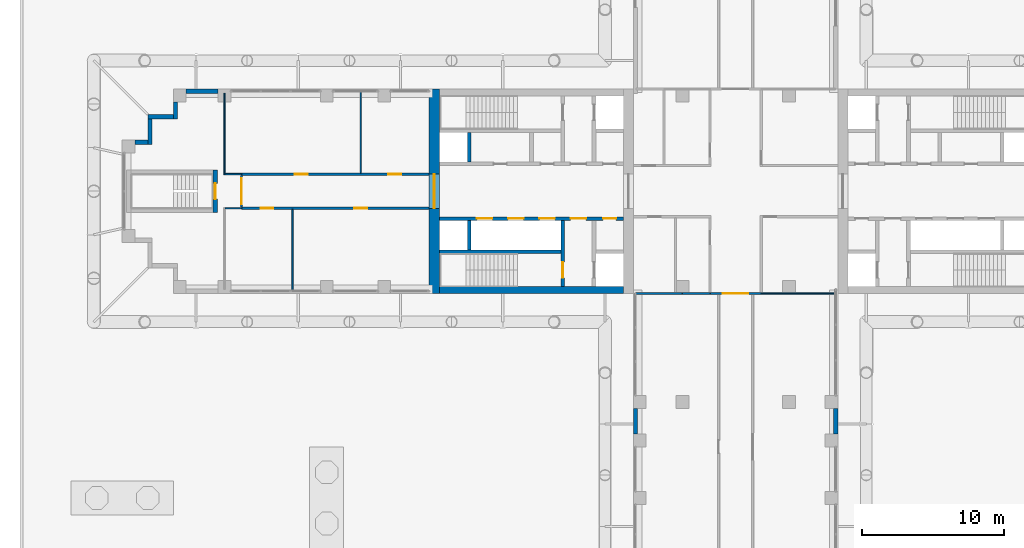
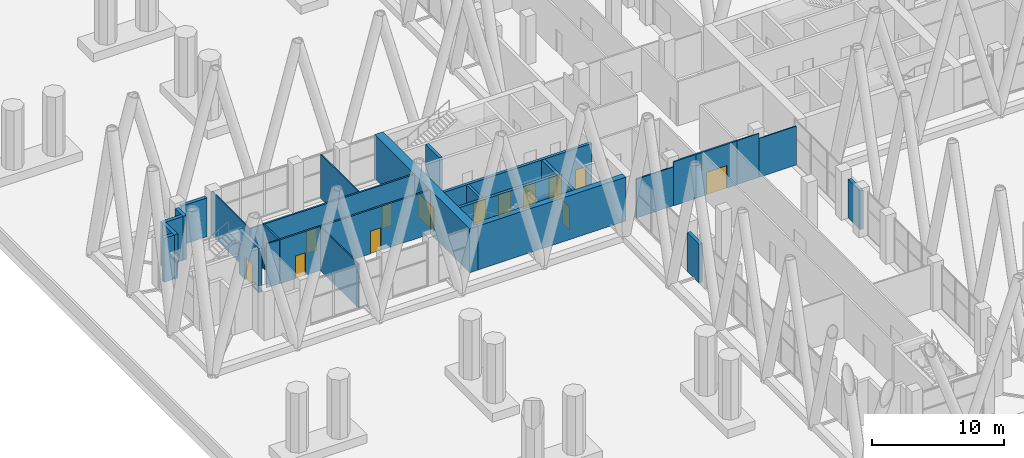
# One storey, part 20 of 31: 28 walls, 14 doors, 14 openings.
"""IFC4 building model written with IfcOpenShell, lengths in metres."""

from ifc_helpers import new_model, si_unit, direction, frame, frame_2d, origin, place, context, subcontext, project, spatial, rectangle, extrude, material, layer, layer_set, type_object, element, fill, save


model = new_model("IFC4")

# Units and contexts
model_context = context("Model", 3, precision=1e-05, world=origin(), true_north=direction((0.0, 1.0)))
body_context = subcontext(model_context, "Body", "Model", "MODEL_VIEW")
ifc_project = project(units=[si_unit("LENGTHUNIT", "METRE"), si_unit("AREAUNIT", "SQUARE_METRE"), si_unit("VOLUMEUNIT", "CUBIC_METRE"), si_unit("PLANEANGLEUNIT", "RADIAN"), si_unit("MASSUNIT", "GRAM", prefix="KILO")], contexts=[model_context])

# Site, building, storey
site_placement = place(None, origin())
site = spatial("IfcSite", under=ifc_project, at=site_placement, CompositionType="ELEMENT")
building_placement = place(site_placement, origin())
building = spatial("IfcBuilding", under=site, at=building_placement, Name="Fustian Cross Tower", CompositionType="ELEMENT")
storey_placement = place(building_placement, frame((0.0, 0.0, 7.199951171875)))
storey = spatial("IfcBuildingStorey", under=building, at=storey_placement, Name="L01", CompositionType="ELEMENT", Elevation=7.199951171875)

# Wall, opening, door
ifc_material_1 = material(Name="Plasterboard on steel stud", Category="steel")
ifc_layer_1 = layer(ifc_material_1, 0.14990234375)
ifc_layer_set_1 = layer_set([ifc_layer_1], Name="Plasterboard on steel stud")
wall_type_1 = type_object("IfcWallType", Name="COMPARTMENT WALL 150 EI 60", PredefinedType="PARTITIONING", material=ifc_layer_set_1)
wall_1_placement = place(storey_placement, frame((-34.800048828125, -1.125, 0.0), z_axis=(0.0, 0.0, 1.0), x_axis=(0.0, 1.0, 0.0)))
wall_1 = element("IfcWall", 1, at=wall_1_placement, inside=storey, type_object=wall_type_1, Name="Partition 5", PredefinedType="PARTITIONING", context=body_context, shape_type="SweptSolid", body=[
    extrude(rectangle(XDim=2.25, YDim=0.14990234375, at=frame_2d((1.125, 0.0))), origin(), (0.0, 0.0, 1.0), 4.074951171875),
])
opening_1_placement = place(wall_1_placement, frame((0.22509765625, 0.0, 0.0)))
opening_1 = element("IfcOpeningElement", 2, at=opening_1_placement, cuts=wall_1, Name="Opening D03024", PredefinedType="OPENING", context=body_context, shape_type="SweptSolid", body=[
    extrude(rectangle(XDim=1.800048828125, YDim=2.10009765625, at=frame_2d((0.89990234375, 1.050048828125))), frame((0.0, 0.0849609375, 0.0), z_axis=(0.0, -1.0, 0.0), x_axis=(1.0, 0.0, 0.0)), (0.0, 0.0, 1.0), 0.169921875),
])
ifc_material_2 = material(Name="Timber fire door set", Category="wood")
door_type_1 = type_object("IfcDoorType", Name="FIRE DOUBLE DOOR 1800 FD30S", OperationType="DOUBLE_DOOR_DOUBLE_SWING", PredefinedType="DOOR", material=ifc_material_2)
door_1_placement = place(opening_1_placement, frame((1.800048828125, 0.0, 0.0), z_axis=(0.0, 0.0, 1.0), x_axis=(-1.0, 0.0, 0.0)))
door_1 = element("IfcDoor", 3, at=door_1_placement, inside=storey, type_object=door_type_1, Name="Door D03024", OperationType="DOUBLE_DOOR_DOUBLE_SWING", OverallHeight=2.10009765625, OverallWidth=1.800048828125, PredefinedType="DOOR", context=body_context, shape_type="SweptSolid", body=[
    extrude(rectangle(XDim=1.800048828125, YDim=2.10009765625, at=frame_2d((0.89990234375, 1.050048828125))), frame((0.0, 0.02490234375, 0.0), z_axis=(0.0, -1.0, 0.0), x_axis=(1.0, 0.0, 0.0)), (0.0, 0.0, 1.0), 0.050048828125),
])
fill(opening_1, door_1)

# Wall, openings, doors
wall_2_placement = place(storey_placement, frame((-34.800048828125, -1.199951171875, 0.0), z_axis=(0.0, 0.0, 1.0), x_axis=(1.0, 0.0, 0.0)))
wall_2 = element("IfcWall", 4, at=wall_2_placement, inside=storey, type_object=wall_type_1, Name="Partition 6", PredefinedType="PARTITIONING", context=body_context, shape_type="SweptSolid", body=[
    extrude(rectangle(XDim=13.199951171875, YDim=0.14990234375, at=frame_2d((6.60009765625, 0.0))), origin(), (0.0, 0.0, 1.0), 4.074951171875),
])
opening_2_placement = place(wall_2_placement, frame((7.949951171875, 0.0, 0.0)))
opening_2 = element("IfcOpeningElement", 5, at=opening_2_placement, cuts=wall_2, Name="Opening D03025", PredefinedType="OPENING", context=body_context, shape_type="SweptSolid", body=[
    extrude(rectangle(XDim=0.89990234375, YDim=2.10009765625, at=frame_2d((0.449951171875, 1.050048828125))), frame((0.0, 0.0849609375, 0.0), z_axis=(0.0, -1.0, 0.0), x_axis=(1.0, 0.0, 0.0)), (0.0, 0.0, 1.0), 0.169921875),
])
opening_3_placement = place(wall_2_placement, frame((1.35009765625, 0.0, 0.0)))
opening_3 = element("IfcOpeningElement", 6, at=opening_3_placement, cuts=wall_2, Name="Opening D03026", PredefinedType="OPENING", context=body_context, shape_type="SweptSolid", body=[
    extrude(rectangle(XDim=0.89990234375, YDim=2.10009765625, at=frame_2d((0.449951171875, 1.050048828125))), frame((0.0, 0.0849609375, 0.0), z_axis=(0.0, -1.0, 0.0), x_axis=(1.0, 0.0, 0.0)), (0.0, 0.0, 1.0), 0.169921875),
])
ifc_material_3 = material(Name="Timber fire door set", Category="wood")
door_type_2 = type_object("IfcDoorType", Name="FIRE SWING DOOR 900 FD30S", OperationType="SINGLE_SWING_LEFT", PredefinedType="DOOR", material=ifc_material_3)
door_2_placement = place(opening_2_placement, frame((0.89990234375, 0.0, 0.0), z_axis=(0.0, 0.0, 1.0), x_axis=(-1.0, 0.0, 0.0)))
door_2 = element("IfcDoor", 7, at=door_2_placement, inside=storey, type_object=door_type_2, Name="Door D03025", OperationType="SINGLE_SWING_RIGHT", OverallHeight=2.10009765625, OverallWidth=0.89990234375, PredefinedType="DOOR", context=body_context, shape_type="SweptSolid", body=[
    extrude(rectangle(XDim=0.89990234375, YDim=2.10009765625, at=frame_2d((0.449951171875, 1.050048828125))), frame((0.0, 0.02490234375, 0.0), z_axis=(0.0, -1.0, 0.0), x_axis=(1.0, 0.0, 0.0)), (0.0, 0.0, 1.0), 0.050048828125),
])
fill(opening_2, door_2)
door_3_placement = place(opening_3_placement, frame((0.89990234375, 0.0, 0.0), z_axis=(0.0, 0.0, 1.0), x_axis=(-1.0, 0.0, 0.0)))
door_3 = element("IfcDoor", 8, at=door_3_placement, inside=storey, type_object=door_type_2, Name="Door D03026", OperationType="SINGLE_SWING_LEFT", OverallHeight=2.10009765625, OverallWidth=0.89990234375, PredefinedType="DOOR", context=body_context, shape_type="SweptSolid", body=[
    extrude(rectangle(XDim=0.89990234375, YDim=2.10009765625, at=frame_2d((0.449951171875, 1.050048828125))), frame((0.0, 0.02490234375, 0.0), z_axis=(0.0, -1.0, 0.0), x_axis=(1.0, 0.0, 0.0)), (0.0, 0.0, 1.0), 0.050048828125),
])
fill(opening_3, door_3)

wall_3_placement = place(storey_placement, frame((-34.800048828125, 1.199951171875, 0.0), z_axis=(0.0, 0.0, 1.0), x_axis=(1.0, 0.0, 0.0)))
wall_3 = element("IfcWall", 9, at=wall_3_placement, inside=storey, type_object=wall_type_1, Name="Partition 7", PredefinedType="PARTITIONING", context=body_context, shape_type="SweptSolid", body=[
    extrude(rectangle(XDim=13.199951171875, YDim=0.14990234375, at=frame_2d((6.60009765625, 0.0))), origin(), (0.0, 0.0, 1.0), 4.074951171875),
])
opening_4_placement = place(wall_3_placement, frame((10.35009765625, 0.0, 0.0)))
opening_4 = element("IfcOpeningElement", 10, at=opening_4_placement, cuts=wall_3, Name="Opening D03027", PredefinedType="OPENING", context=body_context, shape_type="SweptSolid", body=[
    extrude(rectangle(XDim=0.89990234375, YDim=2.10009765625, at=frame_2d((0.449951171875, 1.050048828125))), frame((0.0, 0.0849609375, 0.0), z_axis=(0.0, -1.0, 0.0), x_axis=(1.0, 0.0, 0.0)), (0.0, 0.0, 1.0), 0.169921875),
])
opening_5_placement = place(wall_3_placement, frame((3.75, 0.0, 0.0)))
opening_5 = element("IfcOpeningElement", 11, at=opening_5_placement, cuts=wall_3, Name="Opening D03028", PredefinedType="OPENING", context=body_context, shape_type="SweptSolid", body=[
    extrude(rectangle(XDim=0.89990234375, YDim=2.10009765625, at=frame_2d((0.449951171875, 1.050048828125))), frame((0.0, 0.0849609375, 0.0), z_axis=(0.0, -1.0, 0.0), x_axis=(1.0, 0.0, 0.0)), (0.0, 0.0, 1.0), 0.169921875),
])
door_4_placement = place(opening_4_placement, origin())
door_4 = element("IfcDoor", 12, at=door_4_placement, inside=storey, type_object=door_type_2, Name="Door D03027", OperationType="SINGLE_SWING_LEFT", OverallHeight=2.10009765625, OverallWidth=0.89990234375, PredefinedType="DOOR", context=body_context, shape_type="SweptSolid", body=[
    extrude(rectangle(XDim=0.89990234375, YDim=2.10009765625, at=frame_2d((0.449951171875, 1.050048828125))), frame((0.0, 0.02490234375, 0.0), z_axis=(0.0, -1.0, 0.0), x_axis=(1.0, 0.0, 0.0)), (0.0, 0.0, 1.0), 0.050048828125),
])
fill(opening_4, door_4)
door_5_placement = place(opening_5_placement, origin())
door_5 = element("IfcDoor", 13, at=door_5_placement, inside=storey, type_object=door_type_2, Name="Door D03028", OperationType="SINGLE_SWING_RIGHT", OverallHeight=2.10009765625, OverallWidth=0.89990234375, PredefinedType="DOOR", context=body_context, shape_type="SweptSolid", body=[
    extrude(rectangle(XDim=0.89990234375, YDim=2.10009765625, at=frame_2d((0.449951171875, 1.050048828125))), frame((0.0, 0.02490234375, 0.0), z_axis=(0.0, -1.0, 0.0), x_axis=(1.0, 0.0, 0.0)), (0.0, 0.0, 1.0), 0.050048828125),
])
fill(opening_5, door_5)

# Wall, opening, door
wall_4_placement = place(storey_placement, frame((-1.800048828125, -7.199951171875, 0.0), z_axis=(0.0, 0.0, 1.0), x_axis=(1.0, 0.0, 0.0)))
wall_4 = element("IfcWall", 14, at=wall_4_placement, inside=storey, type_object=wall_type_1, Name="Partition 21", PredefinedType="PARTITIONING", context=body_context, shape_type="SweptSolid", body=[
    extrude(rectangle(XDim=3.60009765625, YDim=0.14990234375, at=frame_2d((1.800048828125, 0.0))), origin(), (0.0, 0.0, 1.0), 4.074951171875),
])
opening_6_placement = place(wall_4_placement, frame((0.89990234375, 0.0, 0.0)))
opening_6 = element("IfcOpeningElement", 15, at=opening_6_placement, cuts=wall_4, Name="Opening D03014", PredefinedType="OPENING", context=body_context, shape_type="SweptSolid", body=[
    extrude(rectangle(XDim=1.800048828125, YDim=2.10009765625, at=frame_2d((0.89990234375, 1.050048828125))), frame((0.0, 0.0849609375, 0.0), z_axis=(0.0, -1.0, 0.0), x_axis=(1.0, 0.0, 0.0)), (0.0, 0.0, 1.0), 0.169921875),
])
door_6_placement = place(opening_6_placement, origin())
door_6 = element("IfcDoor", 16, at=door_6_placement, inside=storey, type_object=door_type_1, Name="Door D03014", OperationType="DOUBLE_DOOR_DOUBLE_SWING", OverallHeight=2.10009765625, OverallWidth=1.800048828125, PredefinedType="DOOR", context=body_context, shape_type="SweptSolid", body=[
    extrude(rectangle(XDim=1.800048828125, YDim=2.10009765625, at=frame_2d((0.89990234375, 1.050048828125))), frame((0.0, 0.02490234375, 0.0), z_axis=(0.0, -1.0, 0.0), x_axis=(1.0, 0.0, 0.0)), (0.0, 0.0, 1.0), 0.050048828125),
])
fill(opening_6, door_6)

ifc_material_4 = material(Name="Concrete C80/95", Category="concrete")
ifc_layer_2 = layer(ifc_material_4, 0.75)
ifc_layer_set_2 = layer_set([ifc_layer_2], Name="Concrete C80/95")
wall_type_2 = type_object("IfcWallType", Name="CORE END WALL 750 C80/95", PredefinedType="SHEAR", material=ifc_layer_set_2)
wall_5_placement = place(storey_placement, frame((-21.22509765625, -7.199951171875, 0.0), z_axis=(0.0, 0.0, 1.0), x_axis=(0.0, 1.0, 0.0)))
wall_5 = element("IfcWall", 17, at=wall_5_placement, inside=storey, type_object=wall_type_2, Name="Core end wall", PredefinedType="SHEAR", context=body_context, shape_type="SweptSolid", body=[
    extrude(rectangle(XDim=14.39990234375, YDim=0.75, at=frame_2d((7.199951171875, 0.0))), origin(), (0.0, 0.0, 1.0), 4.074951171875),
])
opening_7_placement = place(wall_5_placement, frame((6.0, 0.0, 0.0)))
opening_7 = element("IfcOpeningElement", 18, at=opening_7_placement, cuts=wall_5, Name="Opening CD-03-28", PredefinedType="OPENING", context=body_context, shape_type="SweptSolid", body=[
    extrude(rectangle(XDim=2.39990234375, YDim=2.199951171875, at=frame_2d((1.199951171875, 1.10009765625))), frame((0.0, 0.385009765625, 0.0), z_axis=(0.0, -1.0, 0.0), x_axis=(1.0, 0.0, 0.0)), (0.0, 0.0, 1.0), 0.77001953125),
])
ifc_material_5 = material(Name="Steel", Category="steel")
door_type_3 = type_object("IfcDoorType", Name="FIRE DOOR FD30S DOUBLE 2400X2200", OperationType="DOUBLE_DOOR_DOUBLE_SWING", PredefinedType="DOOR", material=ifc_material_5)
door_7_placement = place(opening_7_placement, frame((2.39990234375, 0.0, 0.0), z_axis=(0.0, 0.0, 1.0), x_axis=(-1.0, 0.0, 0.0)))
door_7 = element("IfcDoor", 19, at=door_7_placement, inside=storey, type_object=door_type_3, Name="Core door CD-03-28", OperationType="DOUBLE_DOOR_DOUBLE_SWING", OverallHeight=2.199951171875, OverallWidth=2.39990234375, PredefinedType="DOOR", context=body_context, shape_type="SweptSolid", body=[
    extrude(rectangle(XDim=2.39990234375, YDim=2.199951171875, at=frame_2d((1.199951171875, 1.10009765625))), frame((0.0, 0.02490234375, 0.0), z_axis=(0.0, -1.0, 0.0), x_axis=(1.0, 0.0, 0.0)), (0.0, 0.0, 1.0), 0.050048828125),
])
fill(opening_7, door_7)

# Wall
ifc_material_6 = material(Name="Concrete C80/95", Category="concrete")
ifc_layer_3 = layer(ifc_material_6, 0.5)
ifc_layer_set_3 = layer_set([ifc_layer_3], Name="Concrete C80/95")
wall_type_3 = type_object("IfcWallType", Name="CORE FACADE WALL 500 C80/95", PredefinedType="SHEAR", material=ifc_layer_set_3)
wall_6_placement = place(storey_placement, frame((-7.89990234375, -6.949951171875, 0.0), z_axis=(0.0, 0.0, 1.0), x_axis=(-1.0, 0.0, 0.0)))
element("IfcWall", 20, at=wall_6_placement, inside=storey, type_object=wall_type_3, Name="Core facade wall", PredefinedType="SHEAR", context=body_context, shape_type="SweptSolid", body=[
    extrude(rectangle(XDim=12.9501953125, YDim=0.5, at=frame_2d((6.47509765625, 0.0))), origin(), (0.0, 0.0, 1.0), 4.074951171875),
])

# Wall, openings, doors
ifc_material_7 = material(Name="Concrete C50/60", Category="concrete")
ifc_layer_4 = layer(ifc_material_7, 0.25)
ifc_layer_set_4 = layer_set([ifc_layer_4], Name="Concrete C50/60")
wall_type_4 = type_object("IfcWallType", Name="CORE LOBBY WALL 250 C50/60", PredefinedType="SHEAR", material=ifc_layer_set_4)
wall_7_placement = place(storey_placement, frame((-7.89990234375, -1.925048828125, 0.0), z_axis=(0.0, 0.0, 1.0), x_axis=(-1.0, 0.0, 0.0)))
wall_7 = element("IfcWall", 21, at=wall_7_placement, inside=storey, type_object=wall_type_4, Name="Core lobby wall", PredefinedType="SHEAR", context=body_context, shape_type="SweptSolid", body=[
    extrude(rectangle(XDim=12.9501953125, YDim=0.25, at=frame_2d((6.47509765625, 0.0))), origin(), (0.0, 0.0, 1.0), 4.074951171875),
])
opening_8_placement = place(wall_7_placement, frame((4.824951171875, 0.0, 0.0)))
opening_8 = element("IfcOpeningElement", 22, at=opening_8_placement, cuts=wall_7, Name="Opening LD", PredefinedType="OPENING", context=body_context, shape_type="SweptSolid", body=[
    extrude(rectangle(XDim=1.10009765625, YDim=2.10009765625, at=frame_2d((0.550048828125, 1.050048828125))), frame((0.0, 0.135009765625, 0.0), z_axis=(0.0, -1.0, 0.0), x_axis=(1.0, 0.0, 0.0)), (0.0, 0.0, 1.0), 0.27001953125),
])
opening_9_placement = place(wall_7_placement, frame((7.02490234375, 0.0, 0.0)))
opening_9 = element("IfcOpeningElement", 23, at=opening_9_placement, cuts=wall_7, Name="Opening LD", PredefinedType="OPENING", context=body_context, shape_type="SweptSolid", body=[
    extrude(rectangle(XDim=1.10009765625, YDim=2.10009765625, at=frame_2d((0.550048828125, 1.050048828125))), frame((0.0, 0.135009765625, 0.0), z_axis=(0.0, -1.0, 0.0), x_axis=(1.0, 0.0, 0.0)), (0.0, 0.0, 1.0), 0.27001953125),
])
opening_10_placement = place(wall_7_placement, frame((9.22509765625, 0.0, 0.0)))
opening_10 = element("IfcOpeningElement", 24, at=opening_10_placement, cuts=wall_7, Name="Opening LD", PredefinedType="OPENING", context=body_context, shape_type="SweptSolid", body=[
    extrude(rectangle(XDim=1.10009765625, YDim=2.10009765625, at=frame_2d((0.550048828125, 1.050048828125))), frame((0.0, 0.135009765625, 0.0), z_axis=(0.0, -1.0, 0.0), x_axis=(1.0, 0.0, 0.0)), (0.0, 0.0, 1.0), 0.27001953125),
])
opening_11_placement = place(wall_7_placement, frame((0.52490234375, 0.0, 0.0)))
opening_11 = element("IfcOpeningElement", 25, at=opening_11_placement, cuts=wall_7, Name="Opening CD-03-24", PredefinedType="OPENING", context=body_context, shape_type="SweptSolid", body=[
    extrude(rectangle(XDim=0.89990234375, YDim=2.10009765625, at=frame_2d((0.449951171875, 1.050048828125))), frame((0.0, 0.135009765625, 0.0), z_axis=(0.0, -1.0, 0.0), x_axis=(1.0, 0.0, 0.0)), (0.0, 0.0, 1.0), 0.27001953125),
])
opening_12_placement = place(wall_7_placement, frame((2.625, 0.0, 0.0)))
opening_12 = element("IfcOpeningElement", 26, at=opening_12_placement, cuts=wall_7, Name="Opening CD-03-26", PredefinedType="OPENING", context=body_context, shape_type="SweptSolid", body=[
    extrude(rectangle(XDim=1.10009765625, YDim=2.10009765625, at=frame_2d((0.550048828125, 1.050048828125))), frame((0.0, 0.135009765625, 0.0), z_axis=(0.0, -1.0, 0.0), x_axis=(1.0, 0.0, 0.0)), (0.0, 0.0, 1.0), 0.27001953125),
])
ifc_material_8 = material(Name="Steel", Category="steel")
door_type_4 = type_object("IfcDoorType", Name="FIRE DOOR FD30S 1100X2100", OperationType="SINGLE_SWING_LEFT", PredefinedType="DOOR", material=ifc_material_8)
door_8_placement = place(opening_12_placement, frame((1.10009765625, 0.0, 0.0), z_axis=(0.0, 0.0, 1.0), x_axis=(-1.0, 0.0, 0.0)))
door_8 = element("IfcDoor", 27, at=door_8_placement, inside=storey, type_object=door_type_4, Name="Core door CD-03-26", OperationType="SINGLE_SWING_RIGHT", OverallHeight=2.10009765625, OverallWidth=1.10009765625, PredefinedType="DOOR", context=body_context, shape_type="SweptSolid", body=[
    extrude(rectangle(XDim=1.10009765625, YDim=2.10009765625, at=frame_2d((0.550048828125, 1.050048828125))), frame((0.0, 0.02490234375, 0.0), z_axis=(0.0, -1.0, 0.0), x_axis=(1.0, 0.0, 0.0)), (0.0, 0.0, 1.0), 0.050048828125),
])
fill(opening_12, door_8)
ifc_material_9 = material(Name="Steel", Category="steel")
door_type_5 = type_object("IfcDoorType", Name="FIRE DOOR FD30S 900X2100", OperationType="SINGLE_SWING_LEFT", PredefinedType="DOOR", material=ifc_material_9)
door_9_placement = place(opening_11_placement, origin())
door_9 = element("IfcDoor", 28, at=door_9_placement, inside=storey, type_object=door_type_5, Name="Core door CD-03-24", OperationType="SINGLE_SWING_LEFT", OverallHeight=2.10009765625, OverallWidth=0.89990234375, PredefinedType="DOOR", context=body_context, shape_type="SweptSolid", body=[
    extrude(rectangle(XDim=0.89990234375, YDim=2.10009765625, at=frame_2d((0.449951171875, 1.050048828125))), frame((0.0, 0.02490234375, 0.0), z_axis=(0.0, -1.0, 0.0), x_axis=(1.0, 0.0, 0.0)), (0.0, 0.0, 1.0), 0.050048828125),
])
fill(opening_11, door_9)
ifc_material_10 = material(Name="Stainless steel", Category="steel")
door_type_6 = type_object("IfcDoorType", Name="LIFT LANDING DOOR 1100X2100", OperationType="SLIDING_TO_LEFT", PredefinedType="DOOR", material=ifc_material_10)
door_10_placement = place(opening_8_placement, origin())
door_10 = element("IfcDoor", 29, at=door_10_placement, inside=storey, type_object=door_type_6, Name="Landing door LR1W", OperationType="SLIDING_TO_LEFT", OverallHeight=2.10009765625, OverallWidth=1.10009765625, PredefinedType="DOOR", context=body_context, shape_type="SweptSolid", body=[
    extrude(rectangle(XDim=1.10009765625, YDim=2.10009765625, at=frame_2d((0.550048828125, 1.050048828125))), frame((0.0, 0.02490234375, 0.0), z_axis=(0.0, -1.0, 0.0), x_axis=(1.0, 0.0, 0.0)), (0.0, 0.0, 1.0), 0.050048828125),
])
fill(opening_8, door_10)
door_11_placement = place(opening_9_placement, origin())
door_11 = element("IfcDoor", 30, at=door_11_placement, inside=storey, type_object=door_type_6, Name="Landing door LR2W", OperationType="SLIDING_TO_LEFT", OverallHeight=2.10009765625, OverallWidth=1.10009765625, PredefinedType="DOOR", context=body_context, shape_type="SweptSolid", body=[
    extrude(rectangle(XDim=1.10009765625, YDim=2.10009765625, at=frame_2d((0.550048828125, 1.050048828125))), frame((0.0, 0.02490234375, 0.0), z_axis=(0.0, -1.0, 0.0), x_axis=(1.0, 0.0, 0.0)), (0.0, 0.0, 1.0), 0.050048828125),
])
fill(opening_9, door_11)
door_12_placement = place(opening_10_placement, origin())
door_12 = element("IfcDoor", 31, at=door_12_placement, inside=storey, type_object=door_type_6, Name="Landing door LR3W", OperationType="SLIDING_TO_LEFT", OverallHeight=2.10009765625, OverallWidth=1.10009765625, PredefinedType="DOOR", context=body_context, shape_type="SweptSolid", body=[
    extrude(rectangle(XDim=1.10009765625, YDim=2.10009765625, at=frame_2d((0.550048828125, 1.050048828125))), frame((0.0, 0.02490234375, 0.0), z_axis=(0.0, -1.0, 0.0), x_axis=(1.0, 0.0, 0.0)), (0.0, 0.0, 1.0), 0.050048828125),
])
fill(opening_10, door_12)

# Wall
ifc_material_11 = material(Name="Concrete C50/60", Category="concrete")
ifc_layer_5 = layer(ifc_material_11, 0.25)
ifc_layer_set_5 = layer_set([ifc_layer_5], Name="Concrete C50/60")
wall_type_5 = type_object("IfcWallType", Name="CORE SHAFT WALL 250 C50/60", PredefinedType="SHEAR", material=ifc_layer_set_5)
wall_8_placement = place(storey_placement, frame((-12.300048828125, -4.27490234375, 0.0), z_axis=(0.0, 0.0, 1.0), x_axis=(-1.0, 0.0, 0.0)))
element("IfcWall", 32, at=wall_8_placement, inside=storey, type_object=wall_type_5, Name="Core shaft wall", PredefinedType="SHEAR", context=body_context, shape_type="SweptSolid", body=[
    extrude(rectangle(XDim=8.550048828125, YDim=0.25, at=frame_2d((4.27490234375, 0.0))), origin(), (0.0, 0.0, 1.0), 4.074951171875),
])

# Wall, opening, door
wall_9_placement = place(storey_placement, frame((-12.175048828125, -2.050048828125, 0.0), z_axis=(0.0, 0.0, 1.0), x_axis=(0.0, -1.0, 0.0)))
wall_9 = element("IfcWall", 33, at=wall_9_placement, inside=storey, type_object=wall_type_5, Name="Core shaft wall", PredefinedType="SHEAR", context=body_context, shape_type="SweptSolid", body=[
    extrude(rectangle(XDim=4.64990234375, YDim=0.25, at=frame_2d((2.324951171875, 0.0))), origin(), (0.0, 0.0, 1.0), 4.074951171875),
])
opening_13_placement = place(wall_9_placement, frame((2.949951171875, 0.0, 0.0)))
opening_13 = element("IfcOpeningElement", 34, at=opening_13_placement, cuts=wall_9, Name="Opening CD-03-22", PredefinedType="OPENING", context=body_context, shape_type="SweptSolid", body=[
    extrude(rectangle(XDim=1.10009765625, YDim=2.10009765625, at=frame_2d((0.550048828125, 1.050048828125))), frame((0.0, 0.135009765625, 0.0), z_axis=(0.0, -1.0, 0.0), x_axis=(1.0, 0.0, 0.0)), (0.0, 0.0, 1.0), 0.27001953125),
])
ifc_material_12 = material(Name="Steel", Category="steel")
door_type_7 = type_object("IfcDoorType", Name="FIRE DOOR FD60S 1100X2100", OperationType="SINGLE_SWING_LEFT", PredefinedType="DOOR", material=ifc_material_12)
door_13_placement = place(opening_13_placement, frame((1.10009765625, 0.0, 0.0), z_axis=(0.0, 0.0, 1.0), x_axis=(-1.0, 0.0, 0.0)))
door_13 = element("IfcDoor", 35, at=door_13_placement, inside=storey, type_object=door_type_7, Name="Core door CD-03-22", OperationType="SINGLE_SWING_RIGHT", OverallHeight=2.10009765625, OverallWidth=1.10009765625, PredefinedType="DOOR", context=body_context, shape_type="SweptSolid", body=[
    extrude(rectangle(XDim=1.10009765625, YDim=2.10009765625, at=frame_2d((0.550048828125, 1.050048828125))), frame((0.0, 0.02490234375, 0.0), z_axis=(0.0, -1.0, 0.0), x_axis=(1.0, 0.0, 0.0)), (0.0, 0.0, 1.0), 0.050048828125),
])
fill(opening_13, door_13)

# Walls
ifc_material_13 = material(Name="Dark rainscreen cladding on blockwork", Category="masonry")
ifc_layer_6 = layer(ifc_material_13, 0.300048828125)
ifc_layer_set_6 = layer_set([ifc_layer_6], Name="Dark rainscreen cladding on blockwork")
wall_type_6 = type_object("IfcWallType", Name="EXTERNAL WALL 300 CLADDING", PredefinedType="SOLIDWALL", material=ifc_layer_set_6)
wall_10_placement = place(storey_placement, frame((-36.449951171875, 7.050048828125, 0.0), z_axis=(0.0, 0.0, 1.0), x_axis=(-1.0, 0.0, 0.0)))
element("IfcWall", 36, at=wall_10_placement, inside=storey, type_object=wall_type_6, Name="Garden-level wall W253", PredefinedType="SOLIDWALL", context=body_context, shape_type="SweptSolid", body=[
    extrude(rectangle(XDim=2.25, YDim=0.300048828125, at=frame_2d((1.125, 0.0))), origin(), (0.0, 0.0, 1.0), 3.60009765625),
])
wall_11_placement = place(storey_placement, frame((-39.449951171875, 6.300048828125, 0.0), z_axis=(0.0, 0.0, 1.0), x_axis=(0.0, -1.0, 0.0)))
element("IfcWall", 37, at=wall_11_placement, inside=storey, type_object=wall_type_6, Name="Garden-level wall W260", PredefinedType="SOLIDWALL", context=body_context, shape_type="SweptSolid", body=[
    extrude(rectangle(XDim=1.199951171875, YDim=0.300048828125, at=frame_2d((0.60009765625, 0.0))), origin(), (0.0, 0.0, 1.0), 4.074951171875),
])
wall_12_placement = place(storey_placement, frame((-39.60009765625, 5.25, 0.0), z_axis=(0.0, 0.0, 1.0), x_axis=(-1.0, 0.0, 0.0)))
element("IfcWall", 38, at=wall_12_placement, inside=storey, type_object=wall_type_6, Name="Garden-level wall W270", PredefinedType="SOLIDWALL", context=body_context, shape_type="SweptSolid", body=[
    extrude(rectangle(XDim=1.7998046875, YDim=0.300048828125, at=frame_2d((0.89990234375, 0.0))), origin(), (0.0, 0.0, 1.0), 4.074951171875),
])
wall_13_placement = place(storey_placement, frame((-41.25, 5.10009765625, 0.0), z_axis=(0.0, 0.0, 1.0), x_axis=(0.0, -1.0, 0.0)))
element("IfcWall", 39, at=wall_13_placement, inside=storey, type_object=wall_type_6, Name="Garden-level wall W280", PredefinedType="SOLIDWALL", context=body_context, shape_type="SweptSolid", body=[
    extrude(rectangle(XDim=1.800048828125, YDim=0.300048828125, at=frame_2d((0.89990234375, 0.0))), origin(), (0.0, 0.0, 1.0), 4.074951171875),
])
wall_14_placement = place(storey_placement, frame((-41.39990234375, 3.449951171875, 0.0), z_axis=(0.0, 0.0, 1.0), x_axis=(-1.0, 0.0, 0.0)))
element("IfcWall", 40, at=wall_14_placement, inside=storey, type_object=wall_type_6, Name="Garden-level wall W290", PredefinedType="SOLIDWALL", context=body_context, shape_type="SweptSolid", body=[
    extrude(rectangle(XDim=0.900146484375, YDim=0.300048828125, at=frame_2d((0.4501953125, 0.0))), origin(), (0.0, 0.0, 1.0), 4.074951171875),
])
for number, where, z_axis, x_axis, name in (
    (41, (-7.050048828125, -15.300048828125, 0.0), (0.0, 0.0, 1.0), (0.0, -1.0, 0.0), "Garden-level wall S371"),
    (42, (7.050048828125, -17.10009765625, 0.0), (0.0, 0.0, 1.0), (0.0, 1.0, 0.0), "Garden-level wall S474"),
):
    element("IfcWall", number, at=place(storey_placement, frame(where, z_axis=z_axis, x_axis=x_axis)), inside=storey, type_object=wall_type_6, Name=name, PredefinedType="SOLIDWALL", context=body_context, shape_type="SweptSolid", body=[
        extrude(rectangle(XDim=1.800048828125, YDim=0.300048828125, at=frame_2d((0.89990234375, 0.0))), origin(), (0.0, 0.0, 1.0), 3.60009765625),
    ])
ifc_material_14 = material(Name="Plasterboard on steel stud", Category="steel")
ifc_layer_7 = layer(ifc_material_14, 0.10009765625)
ifc_layer_set_7 = layer_set([ifc_layer_7], Name="Plasterboard on steel stud")
wall_type_7 = type_object("IfcWallType", Name="PARTITION 100 STUD", PredefinedType="PARTITIONING", material=ifc_layer_set_7)
wall_15_placement = place(storey_placement, frame((-35.949951171875, -1.199951171875, 0.0), z_axis=(0.0, 0.0, 1.0), x_axis=(1.0, 0.0, 0.0)))
element("IfcWall", 43, at=wall_15_placement, inside=storey, type_object=wall_type_7, Name="Partition 2", PredefinedType="PARTITIONING", context=body_context, shape_type="SweptSolid", body=[
    extrude(rectangle(XDim=1.14990234375, YDim=0.10009765625, at=frame_2d((0.574951171875, 0.0))), origin(), (0.0, 0.0, 1.0), 4.074951171875),
])
wall_16_placement = place(storey_placement, frame((-36.0, 1.14990234375, 0.0), z_axis=(0.0, 0.0, 1.0), x_axis=(0.0, 1.0, 0.0)))
element("IfcWall", 44, at=wall_16_placement, inside=storey, type_object=wall_type_7, Name="Partition 3", PredefinedType="PARTITIONING", context=body_context, shape_type="SweptSolid", body=[
    extrude(rectangle(XDim=5.75, YDim=0.10009765625, at=frame_2d((2.875, 0.0))), origin(), (0.0, 0.0, 1.0), 4.074951171875),
])
wall_17_placement = place(storey_placement, frame((-35.949951171875, 1.199951171875, 0.0), z_axis=(0.0, 0.0, 1.0), x_axis=(1.0, 0.0, 0.0)))
element("IfcWall", 45, at=wall_17_placement, inside=storey, type_object=wall_type_7, Name="Partition 4", PredefinedType="PARTITIONING", context=body_context, shape_type="SweptSolid", body=[
    extrude(rectangle(XDim=1.14990234375, YDim=0.10009765625, at=frame_2d((0.574951171875, 0.0))), origin(), (0.0, 0.0, 1.0), 4.074951171875),
])
for number, where, z_axis, x_axis, name in (
    (46, (-31.199951171875, -7.02001953125, 0.0), (0.0, 0.0, 1.0), (0.0, 1.0, 0.0), "Partition 8"),
    (47, (-26.39990234375, 1.27490234375, 0.0), (0.0, 0.0, 1.0), (0.0, 1.0, 0.0), "Partition 9"),
):
    element("IfcWall", number, at=place(storey_placement, frame(where, z_axis=z_axis, x_axis=x_axis)), inside=storey, type_object=wall_type_7, Name=name, PredefinedType="PARTITIONING", context=body_context, shape_type="SweptSolid", body=[
        extrude(rectangle(XDim=5.7451171875, YDim=0.10009765625, at=frame_2d((2.87255859375, 0.0))), origin(), (0.0, 0.0, 1.0), 4.074951171875),
    ])
wall_18_placement = place(storey_placement, frame((1.800048828125, -7.199951171875, 0.0), z_axis=(0.0, 0.0, 1.0), x_axis=(1.0, 0.0, 0.0)))
element("IfcWall", 48, at=wall_18_placement, inside=storey, type_object=wall_type_7, Name="Partition 32", PredefinedType="PARTITIONING", context=body_context, shape_type="SweptSolid", body=[
    extrude(rectangle(XDim=1.949951171875, YDim=0.10009765625, at=frame_2d((0.97509765625, 0.0))), origin(), (0.0, 0.0, 1.0), 4.074951171875),
])
wall_19_placement = place(storey_placement, frame((3.75, -7.199951171875, 0.0), z_axis=(0.0, 0.0, 1.0), x_axis=(1.0, 0.0, 0.0)))
element("IfcWall", 49, at=wall_19_placement, inside=storey, type_object=wall_type_7, Name="Partition 32", PredefinedType="PARTITIONING", context=body_context, shape_type="SweptSolid", body=[
    extrude(rectangle(XDim=3.27001953125, YDim=0.10009765625, at=frame_2d((1.635009765625, 0.0))), origin(), (0.0, 0.0, 1.0), 3.60009765625),
])
ifc_material_15 = material(Name="Concrete C40/50", Category="concrete")
ifc_layer_8 = layer(ifc_material_15, 0.25)
ifc_layer_set_8 = layer_set([ifc_layer_8], Name="Concrete C40/50")
wall_type_8 = type_object("IfcWallType", Name="SHAFT PARTITION WALL 250 C40/50", PredefinedType="PARTITIONING", material=ifc_layer_set_8)
for number, where, z_axis, x_axis, name in (
    (50, (-18.77490234375, 2.050048828125, 0.0), (0.0, 0.0, 1.0), (0.0, 1.0, 0.0), "Core shaft wall"),
    (51, (-18.77490234375, -2.050048828125, 0.0), (0.0, 0.0, 1.0), (0.0, -1.0, 0.0), "Core shaft wall"),
):
    element("IfcWall", number, at=place(storey_placement, frame(where, z_axis=z_axis, x_axis=x_axis)), inside=storey, type_object=wall_type_8, Name=name, PredefinedType="PARTITIONING", context=body_context, shape_type="SweptSolid", body=[
        extrude(rectangle(XDim=2.099853515625, YDim=0.25, at=frame_2d((1.0498046875, 0.0))), origin(), (0.0, 0.0, 1.0), 4.074951171875),
    ])

# Wall, opening, door
ifc_material_16 = material(Name="Concrete C50/60", Category="concrete")
ifc_layer_9 = layer(ifc_material_16, 0.300048828125)
ifc_layer_set_9 = layer_set([ifc_layer_9], Name="Concrete C50/60")
wall_type_9 = type_object("IfcWallType", Name="STAIR ENCLOSURE WALL 300 C50/60", PredefinedType="SHEAR", material=ifc_layer_set_9)
wall_20_placement = place(storey_placement, frame((-36.64990234375, -1.5, 0.0), z_axis=(0.0, 0.0, 1.0), x_axis=(0.0, 1.0, 0.0)))
wall_20 = element("IfcWall", 52, at=wall_20_placement, inside=storey, type_object=wall_type_9, Name="Stair enclosure wall", PredefinedType="SHEAR", context=body_context, shape_type="SweptSolid", body=[
    extrude(rectangle(XDim=3.0, YDim=0.300048828125, at=frame_2d((1.5, 0.0))), origin(), (0.0, 0.0, 1.0), 4.074951171875),
])
opening_14_placement = place(wall_20_placement, frame((0.949951171875, 0.0, 0.0)))
opening_14 = element("IfcOpeningElement", 53, at=opening_14_placement, cuts=wall_20, Name="Opening CD-03-34", PredefinedType="OPENING", context=body_context, shape_type="SweptSolid", body=[
    extrude(rectangle(XDim=1.10009765625, YDim=2.10009765625, at=frame_2d((0.550048828125, 1.050048828125))), frame((0.0, 0.159912109375, 0.0), z_axis=(0.0, -1.0, 0.0), x_axis=(1.0, 0.0, 0.0)), (0.0, 0.0, 1.0), 0.320068359375),
])
door_14_placement = place(opening_14_placement, origin())
door_14 = element("IfcDoor", 54, at=door_14_placement, inside=storey, type_object=door_type_7, Name="Core door CD-03-34", OperationType="SINGLE_SWING_LEFT", OverallHeight=2.10009765625, OverallWidth=1.10009765625, PredefinedType="DOOR", context=body_context, shape_type="SweptSolid", body=[
    extrude(rectangle(XDim=1.10009765625, YDim=2.10009765625, at=frame_2d((0.550048828125, 1.050048828125))), frame((0.0, 0.02490234375, 0.0), z_axis=(0.0, -1.0, 0.0), x_axis=(1.0, 0.0, 0.0)), (0.0, 0.0, 1.0), 0.050048828125),
])
fill(opening_14, door_14)

# Walls
ifc_material_17 = material(Name="Plasterboard on steel stud", Category="steel")
ifc_layer_10 = layer(ifc_material_17, 0.125)
ifc_layer_set_10 = layer_set([ifc_layer_10], Name="Plasterboard on steel stud")
wall_type_10 = type_object("IfcWallType", Name="WET WALL 125 STUD", PredefinedType="PARTITIONING", material=ifc_layer_set_10)
wall_21_placement = place(storey_placement, frame((-7.02001953125, -7.199951171875, 0.0), z_axis=(0.0, 0.0, 1.0), x_axis=(1.0, 0.0, 0.0)))
element("IfcWall", 55, at=wall_21_placement, inside=storey, type_object=wall_type_10, Name="Partition 13", PredefinedType="PARTITIONING", context=body_context, shape_type="SweptSolid", body=[
    extrude(rectangle(XDim=3.27001953125, YDim=0.125, at=frame_2d((1.635009765625, 0.0))), origin(), (0.0, 0.0, 1.0), 3.60009765625),
])
wall_22_placement = place(storey_placement, frame((-3.75, -7.199951171875, 0.0), z_axis=(0.0, 0.0, 1.0), x_axis=(1.0, 0.0, 0.0)))
element("IfcWall", 56, at=wall_22_placement, inside=storey, type_object=wall_type_10, Name="Partition 13", PredefinedType="PARTITIONING", context=body_context, shape_type="SweptSolid", body=[
    extrude(rectangle(XDim=1.949951171875, YDim=0.125, at=frame_2d((0.97509765625, 0.0))), origin(), (0.0, 0.0, 1.0), 4.074951171875),
])

save(model, "model.ifc")
